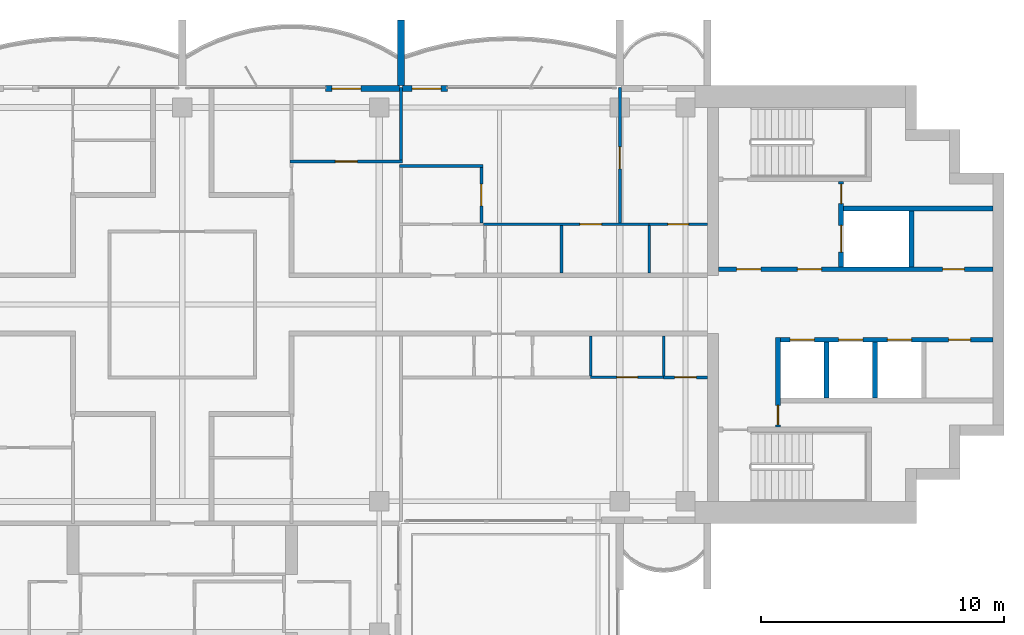
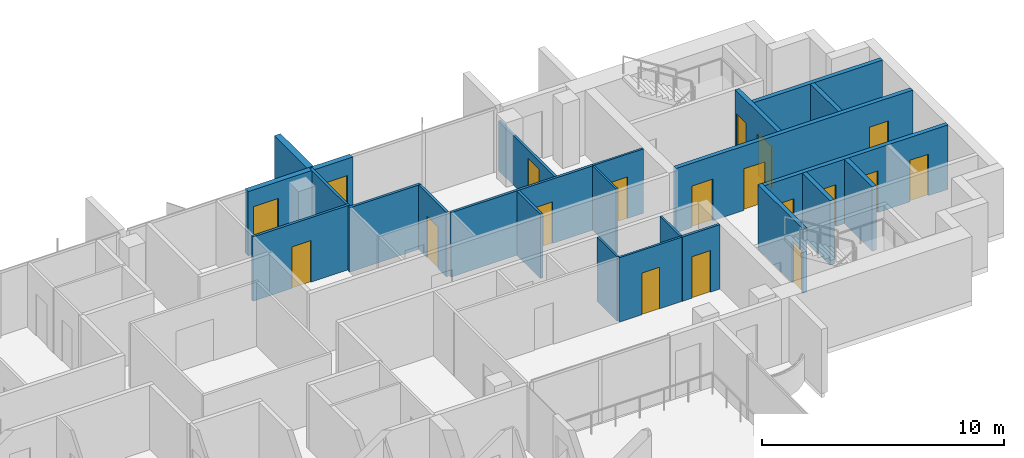
# One storey, part 11 of 16: 24 walls, 19 doors, 19 openings.
"""IFC4 building model written with IfcOpenShell, lengths in metres."""

from ifc_helpers import new_model, si_unit, direction, frame, frame_2d, origin, place, context, subcontext, project, spatial, rectangle, extrude, material, layer, layer_set, type_object, element, fill, save


model = new_model("IFC4")

# Units and contexts
model_context = context("Model", 3, precision=1e-05, world=origin(), true_north=direction((0.0, 1.0)))
body_context = subcontext(model_context, "Body", "Model", "MODEL_VIEW")
ifc_project = project(units=[si_unit("LENGTHUNIT", "METRE"), si_unit("AREAUNIT", "SQUARE_METRE"), si_unit("VOLUMEUNIT", "CUBIC_METRE"), si_unit("PLANEANGLEUNIT", "RADIAN"), si_unit("MASSUNIT", "GRAM", prefix="KILO")], contexts=[model_context])

# Site, building, storey
site_placement = place(None, origin())
site = spatial("IfcSite", under=ifc_project, at=site_placement, CompositionType="ELEMENT")
building_placement = place(site_placement, origin())
building = spatial("IfcBuilding", under=site, at=building_placement, Name="Perihelion Cross Residences", CompositionType="ELEMENT")
storey_placement = place(building_placement, frame((0.0, 0.0, 274.5)))
storey = spatial("IfcBuildingStorey", under=building, at=storey_placement, Name="L70", CompositionType="ELEMENT", Elevation=274.5)

# Wall, opening, door
ifc_material_1 = material(Name="Concrete C30/37, bronze-clad", Category="concrete")
ifc_layer_1 = layer(ifc_material_1, 0.25)
ifc_layer_set_1 = layer_set([ifc_layer_1], Name="Bronze-clad pier wall 250")
wall_type_1 = type_object("IfcWallType", Name="Bronze-clad pier wall 250", PredefinedType="SOLIDWALL", material=ifc_layer_set_1)
wall_1_placement = place(storey_placement, frame((10.89990234375, 8.875, 0.0), z_axis=(0.0, 0.0, 1.0), x_axis=(-1.0, 0.0, 0.0)))
wall_1 = element("IfcWall", 1, at=wall_1_placement, inside=storey, type_object=wall_type_1, Name="Wall FW1 L70 east side north bay 2 pier", PredefinedType="SOLIDWALL", context=body_context, shape_type="SweptSolid", body=[
    extrude(rectangle(XDim=1.83984375, YDim=0.25, at=frame_2d((0.919921875, 0.0))), origin(), (0.0, 0.0, 1.0), 3.25),
])
opening_1_placement = place(wall_1_placement, frame((0.25, 0.0, 0.0)))
opening_1 = element("IfcOpeningElement", 2, at=opening_1_placement, cuts=wall_1, Name="Opening L70.E02", PredefinedType="OPENING", context=body_context, shape_type="SweptSolid", body=[
    extrude(rectangle(XDim=1.199951171875, YDim=2.39990234375, at=frame_2d((0.60009765625, 1.199951171875))), frame((0.0, 0.135009765625, 0.0), z_axis=(0.0, -1.0, 0.0), x_axis=(1.0, 0.0, 0.0)), (0.0, 0.0, 1.0), 0.27001953125),
])
ifc_material_2 = material(Name="Bronze anodised aluminium, glazed", Category="aluminium")
door_type_1 = type_object("IfcDoorType", Name="Balcony door 1200 x 2400", OperationType="NOTDEFINED", PredefinedType="DOOR", material=ifc_material_2)
door_1_placement = place(opening_1_placement, origin())
door_1 = element("IfcDoor", 3, at=door_1_placement, inside=storey, type_object=door_type_1, Name="Door L70.E02 east side north bay 2", OperationType="SINGLE_SWING_RIGHT", OverallHeight=2.39990234375, OverallWidth=1.199951171875, PredefinedType="DOOR", context=body_context, shape_type="SweptSolid", body=[
    extrude(rectangle(XDim=1.199951171875, YDim=2.39990234375, at=frame_2d((0.60009765625, 1.199951171875))), frame((0.0, 0.02490234375, 0.0), z_axis=(0.0, -1.0, 0.0), x_axis=(1.0, 0.0, 0.0)), (0.0, 0.0, 1.0), 0.050048828125),
])
fill(opening_1, door_1)

wall_2_placement = place(storey_placement, frame((8.93994140625, 8.875, 0.0), z_axis=(0.0, 0.0, 1.0), x_axis=(-1.0, 0.0, 0.0)))
wall_2 = element("IfcWall", 4, at=wall_2_placement, inside=storey, type_object=wall_type_1, Name="Wall FW1 L70 north side east bay 1 pier", PredefinedType="SOLIDWALL", context=body_context, shape_type="SweptSolid", body=[
    extrude(rectangle(XDim=3.0400390625, YDim=0.25, at=frame_2d((1.52001953125, 0.0))), origin(), (0.0, 0.0, 1.0), 3.25),
])
opening_2_placement = place(wall_2_placement, frame((1.590087890625, 0.0, 0.0)))
opening_2 = element("IfcOpeningElement", 5, at=opening_2_placement, cuts=wall_2, Name="Opening L70.E03", PredefinedType="OPENING", context=body_context, shape_type="SweptSolid", body=[
    extrude(rectangle(XDim=1.199951171875, YDim=2.39990234375, at=frame_2d((0.60009765625, 1.199951171875))), frame((0.0, 0.135009765625, 0.0), z_axis=(0.0, -1.0, 0.0), x_axis=(1.0, 0.0, 0.0)), (0.0, 0.0, 1.0), 0.27001953125),
])
door_2_placement = place(opening_2_placement, origin())
door_2 = element("IfcDoor", 6, at=door_2_placement, inside=storey, type_object=door_type_1, Name="Door L70.E03 north side east bay 1", OperationType="SINGLE_SWING_LEFT", OverallHeight=2.39990234375, OverallWidth=1.199951171875, PredefinedType="DOOR", context=body_context, shape_type="SweptSolid", body=[
    extrude(rectangle(XDim=1.199951171875, YDim=2.39990234375, at=frame_2d((0.60009765625, 1.199951171875))), frame((0.0, 0.02490234375, 0.0), z_axis=(0.0, -1.0, 0.0), x_axis=(1.0, 0.0, 0.0)), (0.0, 0.0, 1.0), 0.050048828125),
])
fill(opening_2, door_2)

ifc_material_3 = material(Name="Concrete C50/60", Category="concrete")
ifc_layer_2 = layer(ifc_material_3, 0.199951171875)
ifc_layer_set_2 = layer_set([ifc_layer_2], Name="Lobby wall 200")
wall_type_2 = type_object("IfcWallType", Name="Lobby wall 200", PredefinedType="SOLIDWALL", material=ifc_layer_set_2)
wall_3_placement = place(storey_placement, frame((24.5, -5.050048828125, 0.0), z_axis=(0.0, 0.0, 1.0), x_axis=(0.0, 1.0, 0.0)))
wall_3 = element("IfcWall", 7, at=wall_3_placement, inside=storey, type_object=wall_type_2, Name="East core lobby wall", PredefinedType="SOLIDWALL", context=body_context, shape_type="SweptSolid", body=[
    extrude(rectangle(XDim=3.699951171875, YDim=0.199951171875, at=frame_2d((1.85009765625, 0.0))), origin(), (0.0, 0.0, 1.0), 3.25),
])
opening_3_placement = place(wall_3_placement, frame((0.10009765625, 0.0, 0.0)))
opening_3 = element("IfcOpeningElement", 8, at=opening_3_placement, cuts=wall_3, Name="Opening L70.C08", PredefinedType="OPENING", context=body_context, shape_type="SweptSolid", body=[
    extrude(rectangle(XDim=0.800048828125, YDim=2.10009765625, at=frame_2d((0.39990234375, 1.050048828125))), frame((0.0, 0.10986328125, 0.0), z_axis=(0.0, -1.0, 0.0), x_axis=(1.0, 0.0, 0.0)), (0.0, 0.0, 1.0), 0.219970703125),
])
ifc_material_4 = material(Name="Steel, powder coated", Category="steel")
door_type_2 = type_object("IfcDoorType", Name="Riser door 800", OperationType="SINGLE_SWING_LEFT", PredefinedType="DOOR", material=ifc_material_4)
door_3_placement = place(opening_3_placement, origin())
door_3 = element("IfcDoor", 9, at=door_3_placement, inside=storey, type_object=door_type_2, Name="East core riser door", OperationType="SINGLE_SWING_LEFT", OverallHeight=2.10009765625, OverallWidth=0.800048828125, PredefinedType="DOOR", context=body_context, shape_type="SweptSolid", body=[
    extrude(rectangle(XDim=0.800048828125, YDim=2.10009765625, at=frame_2d((0.39990234375, 1.050048828125))), frame((0.0, 0.02490234375, 0.0), z_axis=(0.0, -1.0, 0.0), x_axis=(1.0, 0.0, 0.0)), (0.0, 0.0, 1.0), 0.050048828125),
])
fill(opening_3, door_3)

# Wall
ifc_material_5 = material(Name="Plasterboard partition")
ifc_layer_3 = layer(ifc_material_5, 0.1201171875)
ifc_layer_set_3 = layer_set([ifc_layer_3], Name="Partition wall 120")
wall_type_3 = type_object("IfcWallType", Name="Partition wall 120", PredefinedType="PARTITIONING", material=ifc_layer_set_3)
wall_4_placement = place(storey_placement, frame((15.60009765625, 3.239990234375, 0.0), z_axis=(0.0, 0.0, 1.0), x_axis=(0.0, -1.0, 0.0)))
element("IfcWall", 10, at=wall_4_placement, inside=storey, type_object=wall_type_3, Name="Partition L70 W025", PredefinedType="PARTITIONING", context=body_context, shape_type="SweptSolid", body=[
    extrude(rectangle(XDim=1.93994140625, YDim=0.1201171875, at=frame_2d((0.969970703125, 0.0))), origin(), (0.0, 0.0, 1.0), 3.25),
])

# Wall, opening, door
wall_5_placement = place(storey_placement, frame((12.389892578125, 3.300048828125, 0.0), z_axis=(0.0, 0.0, 1.0), x_axis=(1.0, 0.0, 0.0)))
wall_5 = element("IfcWall", 11, at=wall_5_placement, inside=storey, type_object=wall_type_3, Name="Partition L70 W026", PredefinedType="PARTITIONING", context=body_context, shape_type="SweptSolid", body=[
    extrude(rectangle(XDim=6.81005859375, YDim=0.1201171875, at=frame_2d((3.405029296875, 0.0))), origin(), (0.0, 0.0, 1.0), 3.25),
])
opening_4_placement = place(wall_5_placement, frame((3.9599609375, 0.0, 0.0)))
opening_4 = element("IfcOpeningElement", 12, at=opening_4_placement, cuts=wall_5, Name="Opening L70.A05", PredefinedType="OPENING", context=body_context, shape_type="SweptSolid", body=[
    extrude(rectangle(XDim=0.89990234375, YDim=2.10009765625, at=frame_2d((0.449951171875, 1.050048828125))), frame((0.0, 0.070068359375, 0.0), z_axis=(0.0, -1.0, 0.0), x_axis=(1.0, 0.0, 0.0)), (0.0, 0.0, 1.0), 0.14013671875),
])
ifc_material_6 = material(Name="Timber door leaf", Category="wood")
door_type_3 = type_object("IfcDoorType", Name="Interior room door 900 x 2100", OperationType="SINGLE_SWING_LEFT", PredefinedType="DOOR", material=ifc_material_6)
door_4_placement = place(opening_4_placement, origin())
door_4 = element("IfcDoor", 13, at=door_4_placement, inside=storey, type_object=door_type_3, Name="Door L70.A05", OperationType="SINGLE_SWING_RIGHT", OverallHeight=2.10009765625, OverallWidth=0.89990234375, PredefinedType="DOOR", context=body_context, shape_type="SweptSolid", body=[
    extrude(rectangle(XDim=0.89990234375, YDim=2.10009765625, at=frame_2d((0.449951171875, 1.050048828125))), frame((0.0, 0.02490234375, 0.0), z_axis=(0.0, -1.0, 0.0), x_axis=(1.0, 0.0, 0.0)), (0.0, 0.0, 1.0), 0.050048828125),
])
fill(opening_4, door_4)

wall_6_placement = place(storey_placement, frame((12.300048828125, 3.360107421875, 0.0), z_axis=(0.0, 0.0, 1.0), x_axis=(0.0, 1.0, 0.0)))
wall_6 = element("IfcWall", 14, at=wall_6_placement, inside=storey, type_object=wall_type_3, Name="Partition L70 W029", PredefinedType="PARTITIONING", context=body_context, shape_type="SweptSolid", body=[
    extrude(rectangle(XDim=2.27978515625, YDim=0.1201171875, at=frame_2d((1.139892578125, 0.0))), origin(), (0.0, 0.0, 1.0), 3.25),
])
opening_5_placement = place(wall_6_placement, frame((0.68994140625, 0.0, 0.0)))
opening_5 = element("IfcOpeningElement", 15, at=opening_5_placement, cuts=wall_6, Name="Opening L70.A07", PredefinedType="OPENING", context=body_context, shape_type="SweptSolid", body=[
    extrude(rectangle(XDim=0.89990234375, YDim=2.10009765625, at=frame_2d((0.449951171875, 1.050048828125))), frame((0.0, 0.070068359375, 0.0), z_axis=(0.0, -1.0, 0.0), x_axis=(1.0, 0.0, 0.0)), (0.0, 0.0, 1.0), 0.14013671875),
])
door_5_placement = place(opening_5_placement, origin())
door_5 = element("IfcDoor", 16, at=door_5_placement, inside=storey, type_object=door_type_3, Name="Door L70.A07", OperationType="SINGLE_SWING_RIGHT", OverallHeight=2.10009765625, OverallWidth=0.89990234375, PredefinedType="DOOR", context=body_context, shape_type="SweptSolid", body=[
    extrude(rectangle(XDim=0.89990234375, YDim=2.10009765625, at=frame_2d((0.449951171875, 1.050048828125))), frame((0.0, 0.02490234375, 0.0), z_axis=(0.0, -1.0, 0.0), x_axis=(1.0, 0.0, 0.0)), (0.0, 0.0, 1.0), 0.050048828125),
])
fill(opening_5, door_5)

# Wall
wall_7_placement = place(storey_placement, frame((12.360107421875, 5.699951171875, 0.0), z_axis=(0.0, 0.0, 1.0), x_axis=(-1.0, 0.0, 0.0)))
element("IfcWall", 17, at=wall_7_placement, inside=storey, type_object=wall_type_3, Name="Partition L70 W030", PredefinedType="PARTITIONING", context=body_context, shape_type="SweptSolid", body=[
    extrude(rectangle(XDim=3.420166015625, YDim=0.1201171875, at=frame_2d((1.7099609375, 0.0))), origin(), (0.0, 0.0, 1.0), 3.25),
])

# Wall, opening, door
wall_8_placement = place(storey_placement, frame((18.0, 8.919921875, 0.0), z_axis=(0.0, 0.0, 1.0), x_axis=(0.0, -1.0, 0.0)))
wall_8 = element("IfcWall", 18, at=wall_8_placement, inside=storey, type_object=wall_type_3, Name="Partition L70 W031", PredefinedType="PARTITIONING", context=body_context, shape_type="SweptSolid", body=[
    extrude(rectangle(XDim=5.559814453125, YDim=0.1201171875, at=frame_2d((2.77978515625, 0.0))), origin(), (0.0, 0.0, 1.0), 2.49609375),
])
opening_6_placement = place(wall_8_placement, frame((2.43994140625, 0.0, 0.0)))
opening_6 = element("IfcOpeningElement", 19, at=opening_6_placement, cuts=wall_8, Name="Opening L70.A08", PredefinedType="OPENING", context=body_context, shape_type="SweptSolid", body=[
    extrude(rectangle(XDim=0.89990234375, YDim=2.10009765625, at=frame_2d((0.449951171875, 1.050048828125))), frame((0.0, 0.070068359375, 0.0), z_axis=(0.0, -1.0, 0.0), x_axis=(1.0, 0.0, 0.0)), (0.0, 0.0, 1.0), 0.14013671875),
])
door_6_placement = place(opening_6_placement, origin())
door_6 = element("IfcDoor", 20, at=door_6_placement, inside=storey, type_object=door_type_3, Name="Door L70.A08", OperationType="SINGLE_SWING_LEFT", OverallHeight=2.10009765625, OverallWidth=0.89990234375, PredefinedType="DOOR", context=body_context, shape_type="SweptSolid", body=[
    extrude(rectangle(XDim=0.89990234375, YDim=2.10009765625, at=frame_2d((0.449951171875, 1.050048828125))), frame((0.0, 0.02490234375, 0.0), z_axis=(0.0, -1.0, 0.0), x_axis=(1.0, 0.0, 0.0)), (0.0, 0.0, 1.0), 0.050048828125),
])
fill(opening_6, door_6)

# Wall
wall_9_placement = place(storey_placement, frame((9.0, 5.93994140625, 0.0), z_axis=(0.0, 0.0, 1.0), x_axis=(0.0, 1.0, 0.0)))
element("IfcWall", 21, at=wall_9_placement, inside=storey, type_object=wall_type_3, Name="Partition L70 W032", PredefinedType="PARTITIONING", context=body_context, shape_type="SweptSolid", body=[
    extrude(rectangle(XDim=2.97998046875, YDim=0.1201171875, at=frame_2d((1.489990234375, 0.0))), origin(), (0.0, 0.0, 1.0), 3.25),
])

# Wall, opening, door
wall_10_placement = place(storey_placement, frame((4.43994140625, 5.8798828125, 0.0), z_axis=(0.0, 0.0, 1.0), x_axis=(1.0, 0.0, 0.0)))
wall_10 = element("IfcWall", 22, at=wall_10_placement, inside=storey, type_object=wall_type_3, Name="Partition L70 W033", PredefinedType="PARTITIONING", context=body_context, shape_type="SweptSolid", body=[
    extrude(rectangle(XDim=4.6201171875, YDim=0.1201171875, at=frame_2d((2.31005859375, 0.0))), origin(), (0.0, 0.0, 1.0), 3.25),
])
opening_7_placement = place(wall_10_placement, frame((1.860107421875, 0.0, 0.0)))
opening_7 = element("IfcOpeningElement", 23, at=opening_7_placement, cuts=wall_10, Name="Opening L70.A06", PredefinedType="OPENING", context=body_context, shape_type="SweptSolid", body=[
    extrude(rectangle(XDim=0.89990234375, YDim=2.10009765625, at=frame_2d((0.449951171875, 1.050048828125))), frame((0.0, 0.070068359375, 0.0), z_axis=(0.0, -1.0, 0.0), x_axis=(1.0, 0.0, 0.0)), (0.0, 0.0, 1.0), 0.14013671875),
])
door_7_placement = place(opening_7_placement, origin())
door_7 = element("IfcDoor", 24, at=door_7_placement, inside=storey, type_object=door_type_3, Name="Door L70.A06", OperationType="SINGLE_SWING_RIGHT", OverallHeight=2.10009765625, OverallWidth=0.89990234375, PredefinedType="DOOR", context=body_context, shape_type="SweptSolid", body=[
    extrude(rectangle(XDim=0.89990234375, YDim=2.10009765625, at=frame_2d((0.449951171875, 1.050048828125))), frame((0.0, 0.02490234375, 0.0), z_axis=(0.0, -1.0, 0.0), x_axis=(1.0, 0.0, 0.0)), (0.0, 0.0, 1.0), 0.050048828125),
])
fill(opening_7, door_7)

wall_11_placement = place(storey_placement, frame((21.60009765625, -3.0, 0.0), z_axis=(0.0, 0.0, 1.0), x_axis=(-1.0, 0.0, 0.0)))
wall_11 = element("IfcWall", 25, at=wall_11_placement, inside=storey, type_object=wall_type_3, Name="Partition L70 W042", PredefinedType="PARTITIONING", context=body_context, shape_type="SweptSolid", body=[
    extrude(rectangle(XDim=1.800048828125, YDim=0.1201171875, at=frame_2d((0.89990234375, 0.0))), origin(), (0.0, 0.0, 1.0), 3.25),
])
opening_8_placement = place(wall_11_placement, frame((0.449951171875, 0.0, 0.0)))
opening_8 = element("IfcOpeningElement", 26, at=opening_8_placement, cuts=wall_11, Name="Opening L70.A13", PredefinedType="OPENING", context=body_context, shape_type="SweptSolid", body=[
    extrude(rectangle(XDim=0.89990234375, YDim=2.10009765625, at=frame_2d((0.449951171875, 1.050048828125))), frame((0.0, 0.070068359375, 0.0), z_axis=(0.0, -1.0, 0.0), x_axis=(1.0, 0.0, 0.0)), (0.0, 0.0, 1.0), 0.14013671875),
])
door_8_placement = place(opening_8_placement, origin())
door_8 = element("IfcDoor", 27, at=door_8_placement, inside=storey, type_object=door_type_3, Name="Door L70.A13", OperationType="SINGLE_SWING_RIGHT", OverallHeight=2.10009765625, OverallWidth=0.89990234375, PredefinedType="DOOR", context=body_context, shape_type="SweptSolid", body=[
    extrude(rectangle(XDim=0.89990234375, YDim=2.10009765625, at=frame_2d((0.449951171875, 1.050048828125))), frame((0.0, 0.02490234375, 0.0), z_axis=(0.0, -1.0, 0.0), x_axis=(1.0, 0.0, 0.0)), (0.0, 0.0, 1.0), 0.050048828125),
])
fill(opening_8, door_8)

# Wall
ifc_material_7 = material(Name="Precast concrete C50/60", Category="concrete")
ifc_layer_4 = layer(ifc_material_7, 0.300048828125)
ifc_layer_set_4 = layer_set([ifc_layer_4], Name="Precast concrete C50/60 blade wall 300")
wall_type_4 = type_object("IfcWallType", Name="Precast concrete C50/60 blade wall 300", PredefinedType="SOLIDWALL", material=ifc_layer_set_4)
wall_12_placement = place(storey_placement, frame((9.0, 9.0, 0.0), z_axis=(0.0, 0.0, 1.0), x_axis=(0.0, 1.0, 0.0)))
element("IfcWall", 28, at=wall_12_placement, inside=storey, type_object=wall_type_4, Name="Wall BL1 L70 no. 16", PredefinedType="SOLIDWALL", context=body_context, shape_type="SweptSolid", body=[
    extrude(rectangle(XDim=2.699951171875, YDim=0.300048828125, at=frame_2d((1.35009765625, 0.0))), origin(), (0.0, 0.0, 1.0), 3.25),
])

# Wall, openings, doors
ifc_material_8 = material(Name="Concrete C50/60", Category="concrete")
ifc_layer_5 = layer(ifc_material_8, 0.199951171875)
ifc_layer_set_5 = layer_set([ifc_layer_5], Name="Shaft wall 200")
wall_type_5 = type_object("IfcWallType", Name="Shaft wall 200", PredefinedType="SOLIDWALL", material=ifc_layer_set_5)
wall_13_placement = place(storey_placement, frame((22.050048828125, 1.449951171875, 0.0), z_axis=(0.0, 0.0, 1.0), x_axis=(1.0, 0.0, 0.0)))
wall_13 = element("IfcWall", 29, at=wall_13_placement, inside=storey, type_object=wall_type_5, Name="East core shaft wall", PredefinedType="SOLIDWALL", context=body_context, shape_type="SweptSolid", body=[
    extrude(rectangle(XDim=11.300048828125, YDim=0.199951171875, at=frame_2d((5.64990234375, 0.0))), origin(), (0.0, 0.0, 1.0), 3.25),
])
opening_9_placement = place(wall_13_placement, frame((0.75, 0.0, 0.0)))
opening_9 = element("IfcOpeningElement", 30, at=opening_9_placement, cuts=wall_13, Name="Opening L70.C07", PredefinedType="OPENING", context=body_context, shape_type="SweptSolid", body=[
    extrude(rectangle(XDim=1.0, YDim=2.10009765625, at=frame_2d((0.5, 1.050048828125))), frame((0.0, 0.10986328125, 0.0), z_axis=(0.0, -1.0, 0.0), x_axis=(1.0, 0.0, 0.0)), (0.0, 0.0, 1.0), 0.219970703125),
])
opening_10_placement = place(wall_13_placement, frame((3.25, 0.0, 0.0)))
opening_10 = element("IfcOpeningElement", 31, at=opening_10_placement, cuts=wall_13, Name="Opening L70.C09", PredefinedType="OPENING", context=body_context, shape_type="SweptSolid", body=[
    extrude(rectangle(XDim=1.0, YDim=2.10009765625, at=frame_2d((0.5, 1.050048828125))), frame((0.0, 0.10986328125, 0.0), z_axis=(0.0, -1.0, 0.0), x_axis=(1.0, 0.0, 0.0)), (0.0, 0.0, 1.0), 0.219970703125),
])
opening_11_placement = place(wall_13_placement, frame((9.22509765625, 0.0, 0.0)))
opening_11 = element("IfcOpeningElement", 32, at=opening_11_placement, cuts=wall_13, Name="Opening L70.C11", PredefinedType="OPENING", context=body_context, shape_type="SweptSolid", body=[
    extrude(rectangle(XDim=0.89990234375, YDim=2.10009765625, at=frame_2d((0.449951171875, 1.050048828125))), frame((0.0, 0.10986328125, 0.0), z_axis=(0.0, -1.0, 0.0), x_axis=(1.0, 0.0, 0.0)), (0.0, 0.0, 1.0), 0.219970703125),
])
ifc_material_9 = material(Name="Steel, powder coated", Category="steel")
door_type_4 = type_object("IfcDoorType", Name="Lobby door 1000", OperationType="SINGLE_SWING_LEFT", PredefinedType="DOOR", material=ifc_material_9)
door_9_placement = place(opening_9_placement, origin())
door_9 = element("IfcDoor", 33, at=door_9_placement, inside=storey, type_object=door_type_4, Name="East core firefighting lobby door", OperationType="SINGLE_SWING_LEFT", OverallHeight=2.10009765625, OverallWidth=1.0, PredefinedType="DOOR", context=body_context, shape_type="SweptSolid", body=[
    extrude(rectangle(XDim=1.0, YDim=2.10009765625, at=frame_2d((0.5, 1.050048828125))), frame((0.0, 0.02490234375, 0.0), z_axis=(0.0, -1.0, 0.0), x_axis=(1.0, 0.0, 0.0)), (0.0, 0.0, 1.0), 0.050048828125),
])
fill(opening_9, door_9)
door_10_placement = place(opening_10_placement, origin())
door_10 = element("IfcDoor", 34, at=door_10_placement, inside=storey, type_object=door_type_4, Name="East core firefighting lobby door", OperationType="SINGLE_SWING_LEFT", OverallHeight=2.10009765625, OverallWidth=1.0, PredefinedType="DOOR", context=body_context, shape_type="SweptSolid", body=[
    extrude(rectangle(XDim=1.0, YDim=2.10009765625, at=frame_2d((0.5, 1.050048828125))), frame((0.0, 0.02490234375, 0.0), z_axis=(0.0, -1.0, 0.0), x_axis=(1.0, 0.0, 0.0)), (0.0, 0.0, 1.0), 0.050048828125),
])
fill(opening_10, door_10)
ifc_material_10 = material(Name="Steel, powder coated", Category="steel")
door_type_5 = type_object("IfcDoorType", Name="Service room door 900", OperationType="SINGLE_SWING_LEFT", PredefinedType="DOOR", material=ifc_material_10)
door_11_placement = place(opening_11_placement, origin())
door_11 = element("IfcDoor", 35, at=door_11_placement, inside=storey, type_object=door_type_5, Name="East core service room door", OperationType="SINGLE_SWING_LEFT", OverallHeight=2.10009765625, OverallWidth=0.89990234375, PredefinedType="DOOR", context=body_context, shape_type="SweptSolid", body=[
    extrude(rectangle(XDim=0.89990234375, YDim=2.10009765625, at=frame_2d((0.449951171875, 1.050048828125))), frame((0.0, 0.02490234375, 0.0), z_axis=(0.0, -1.0, 0.0), x_axis=(1.0, 0.0, 0.0)), (0.0, 0.0, 1.0), 0.050048828125),
])
fill(opening_11, door_11)

wall_14_placement = place(storey_placement, frame((24.60009765625, -1.449951171875, 0.0), z_axis=(0.0, 0.0, 1.0), x_axis=(1.0, 0.0, 0.0)))
wall_14 = element("IfcWall", 36, at=wall_14_placement, inside=storey, type_object=wall_type_5, Name="East core shaft wall", PredefinedType="SOLIDWALL", context=body_context, shape_type="SweptSolid", body=[
    extrude(rectangle(XDim=8.75, YDim=0.199951171875, at=frame_2d((4.375, 0.0))), origin(), (0.0, 0.0, 1.0), 3.25),
])
opening_12_placement = place(wall_14_placement, frame((0.39990234375, 0.0, 0.0)))
opening_12 = element("IfcOpeningElement", 37, at=opening_12_placement, cuts=wall_14, Name="Opening L70.C01", PredefinedType="OPENING", context=body_context, shape_type="SweptSolid", body=[
    extrude(rectangle(XDim=1.0, YDim=2.10009765625, at=frame_2d((0.5, 1.050048828125))), frame((0.0, 0.10986328125, 0.0), z_axis=(0.0, -1.0, 0.0), x_axis=(1.0, 0.0, 0.0)), (0.0, 0.0, 1.0), 0.219970703125),
])
opening_13_placement = place(wall_14_placement, frame((2.39990234375, 0.0, 0.0)))
opening_13 = element("IfcOpeningElement", 38, at=opening_13_placement, cuts=wall_14, Name="Opening L70.C03", PredefinedType="OPENING", context=body_context, shape_type="SweptSolid", body=[
    extrude(rectangle(XDim=1.0, YDim=2.10009765625, at=frame_2d((0.5, 1.050048828125))), frame((0.0, 0.10986328125, 0.0), z_axis=(0.0, -1.0, 0.0), x_axis=(1.0, 0.0, 0.0)), (0.0, 0.0, 1.0), 0.219970703125),
])
opening_14_placement = place(wall_14_placement, frame((4.39990234375, 0.0, 0.0)))
opening_14 = element("IfcOpeningElement", 39, at=opening_14_placement, cuts=wall_14, Name="Opening L70.C04", PredefinedType="OPENING", context=body_context, shape_type="SweptSolid", body=[
    extrude(rectangle(XDim=1.0, YDim=2.10009765625, at=frame_2d((0.5, 1.050048828125))), frame((0.0, 0.10986328125, 0.0), z_axis=(0.0, -1.0, 0.0), x_axis=(1.0, 0.0, 0.0)), (0.0, 0.0, 1.0), 0.219970703125),
])
opening_15_placement = place(wall_14_placement, frame((6.925048828125, 0.0, 0.0)))
opening_15 = element("IfcOpeningElement", 40, at=opening_15_placement, cuts=wall_14, Name="Opening L70.C12", PredefinedType="OPENING", context=body_context, shape_type="SweptSolid", body=[
    extrude(rectangle(XDim=0.89990234375, YDim=2.10009765625, at=frame_2d((0.449951171875, 1.050048828125))), frame((0.0, 0.10986328125, 0.0), z_axis=(0.0, -1.0, 0.0), x_axis=(1.0, 0.0, 0.0)), (0.0, 0.0, 1.0), 0.219970703125),
])
ifc_material_11 = material(Name="Stainless steel", Category="steel")
door_type_6 = type_object("IfcDoorType", Name="Landing door 1000", OperationType="DOUBLE_DOOR_SLIDING", PredefinedType="DOOR", material=ifc_material_11)
door_12_placement = place(opening_12_placement, origin())
door_12 = element("IfcDoor", 41, at=door_12_placement, inside=storey, type_object=door_type_6, Name="Landing door, East core high-rise lift 1", OperationType="DOUBLE_DOOR_SLIDING", OverallHeight=2.10009765625, OverallWidth=1.0, PredefinedType="DOOR", context=body_context, shape_type="SweptSolid", body=[
    extrude(rectangle(XDim=1.0, YDim=2.10009765625, at=frame_2d((0.5, 1.050048828125))), frame((0.0, 0.02490234375, 0.0), z_axis=(0.0, -1.0, 0.0), x_axis=(1.0, 0.0, 0.0)), (0.0, 0.0, 1.0), 0.050048828125),
])
fill(opening_12, door_12)
door_13_placement = place(opening_13_placement, origin())
door_13 = element("IfcDoor", 42, at=door_13_placement, inside=storey, type_object=door_type_6, Name="Landing door, East core high-rise lift 2", OperationType="DOUBLE_DOOR_SLIDING", OverallHeight=2.10009765625, OverallWidth=1.0, PredefinedType="DOOR", context=body_context, shape_type="SweptSolid", body=[
    extrude(rectangle(XDim=1.0, YDim=2.10009765625, at=frame_2d((0.5, 1.050048828125))), frame((0.0, 0.02490234375, 0.0), z_axis=(0.0, -1.0, 0.0), x_axis=(1.0, 0.0, 0.0)), (0.0, 0.0, 1.0), 0.050048828125),
])
fill(opening_13, door_13)
door_14_placement = place(opening_14_placement, origin())
door_14 = element("IfcDoor", 43, at=door_14_placement, inside=storey, type_object=door_type_6, Name="Landing door, East core high-rise lift 3", OperationType="DOUBLE_DOOR_SLIDING", OverallHeight=2.10009765625, OverallWidth=1.0, PredefinedType="DOOR", context=body_context, shape_type="SweptSolid", body=[
    extrude(rectangle(XDim=1.0, YDim=2.10009765625, at=frame_2d((0.5, 1.050048828125))), frame((0.0, 0.02490234375, 0.0), z_axis=(0.0, -1.0, 0.0), x_axis=(1.0, 0.0, 0.0)), (0.0, 0.0, 1.0), 0.050048828125),
])
fill(opening_14, door_14)
door_15_placement = place(opening_15_placement, origin())
door_15 = element("IfcDoor", 44, at=door_15_placement, inside=storey, type_object=door_type_5, Name="East core service room door", OperationType="SINGLE_SWING_LEFT", OverallHeight=2.10009765625, OverallWidth=0.89990234375, PredefinedType="DOOR", context=body_context, shape_type="SweptSolid", body=[
    extrude(rectangle(XDim=0.89990234375, YDim=2.10009765625, at=frame_2d((0.449951171875, 1.050048828125))), frame((0.0, 0.02490234375, 0.0), z_axis=(0.0, -1.0, 0.0), x_axis=(1.0, 0.0, 0.0)), (0.0, 0.0, 1.0), 0.050048828125),
])
fill(opening_15, door_15)

# Wall
wall_15_placement = place(storey_placement, frame((27.199951171875, 3.949951171875, 0.0), z_axis=(0.0, 0.0, 1.0), x_axis=(1.0, 0.0, 0.0)))
element("IfcWall", 45, at=wall_15_placement, inside=storey, type_object=wall_type_5, Name="East core shaft wall", PredefinedType="SOLIDWALL", context=body_context, shape_type="SweptSolid", body=[
    extrude(rectangle(XDim=6.150146484375, YDim=0.199951171875, at=frame_2d((3.0751953125, 0.0))), origin(), (0.0, 0.0, 1.0), 3.25),
])

# Wall, openings, doors
wall_16_placement = place(storey_placement, frame((27.10009765625, 1.550048828125, 0.0), z_axis=(0.0, 0.0, 1.0), x_axis=(0.0, 1.0, 0.0)))
wall_16 = element("IfcWall", 46, at=wall_16_placement, inside=storey, type_object=wall_type_5, Name="East core shaft wall", PredefinedType="SOLIDWALL", context=body_context, shape_type="SweptSolid", body=[
    extrude(rectangle(XDim=3.5, YDim=0.199951171875, at=frame_2d((1.75, 0.0))), origin(), (0.0, 0.0, 1.0), 3.25),
])
opening_16_placement = place(wall_16_placement, frame((0.60009765625, 0.0, 0.0)))
opening_16 = element("IfcOpeningElement", 47, at=opening_16_placement, cuts=wall_16, Name="Opening L70.C02", PredefinedType="OPENING", context=body_context, shape_type="SweptSolid", body=[
    extrude(rectangle(XDim=1.10009765625, YDim=2.10009765625, at=frame_2d((0.550048828125, 1.050048828125))), frame((0.0, 0.10986328125, 0.0), z_axis=(0.0, -1.0, 0.0), x_axis=(1.0, 0.0, 0.0)), (0.0, 0.0, 1.0), 0.219970703125),
])
opening_17_placement = place(wall_16_placement, frame((2.60009765625, 0.0, 0.0)))
opening_17 = element("IfcOpeningElement", 48, at=opening_17_placement, cuts=wall_16, Name="Opening L70.C10", PredefinedType="OPENING", context=body_context, shape_type="SweptSolid", body=[
    extrude(rectangle(XDim=0.800048828125, YDim=2.10009765625, at=frame_2d((0.39990234375, 1.050048828125))), frame((0.0, 0.10986328125, 0.0), z_axis=(0.0, -1.0, 0.0), x_axis=(1.0, 0.0, 0.0)), (0.0, 0.0, 1.0), 0.219970703125),
])
ifc_material_12 = material(Name="Stainless steel", Category="steel")
door_type_7 = type_object("IfcDoorType", Name="Landing door, firefighting lift 1100", OperationType="DOUBLE_DOOR_SLIDING", PredefinedType="DOOR", material=ifc_material_12)
door_16_placement = place(opening_16_placement, origin())
door_16 = element("IfcDoor", 49, at=door_16_placement, inside=storey, type_object=door_type_7, Name="Landing door, East core firefighting and service lift", OperationType="DOUBLE_DOOR_SLIDING", OverallHeight=2.10009765625, OverallWidth=1.10009765625, PredefinedType="DOOR", context=body_context, shape_type="SweptSolid", body=[
    extrude(rectangle(XDim=1.10009765625, YDim=2.10009765625, at=frame_2d((0.550048828125, 1.050048828125))), frame((0.0, 0.02490234375, 0.0), z_axis=(0.0, -1.0, 0.0), x_axis=(1.0, 0.0, 0.0)), (0.0, 0.0, 1.0), 0.050048828125),
])
fill(opening_16, door_16)
door_17_placement = place(opening_17_placement, origin())
door_17 = element("IfcDoor", 50, at=door_17_placement, inside=storey, type_object=door_type_2, Name="East core riser door", OperationType="SINGLE_SWING_LEFT", OverallHeight=2.10009765625, OverallWidth=0.800048828125, PredefinedType="DOOR", context=body_context, shape_type="SweptSolid", body=[
    extrude(rectangle(XDim=0.800048828125, YDim=2.10009765625, at=frame_2d((0.39990234375, 1.050048828125))), frame((0.0, 0.02490234375, 0.0), z_axis=(0.0, -1.0, 0.0), x_axis=(1.0, 0.0, 0.0)), (0.0, 0.0, 1.0), 0.050048828125),
])
fill(opening_17, door_17)

# Walls
for number, where, z_axis, x_axis, name in (
    (51, (30.0, 1.550048828125, 0.0), (0.0, 0.0, 1.0), (0.0, 1.0, 0.0), "East core shaft wall"),
    (52, (26.5, -3.85009765625, 0.0), (0.0, 0.0, 1.0), (0.0, 1.0, 0.0), "East core shaft wall"),
    (53, (28.5, -3.85009765625, 0.0), (0.0, 0.0, 1.0), (0.0, 1.0, 0.0), "East core shaft wall"),
):
    element("IfcWall", number, at=place(storey_placement, frame(where, z_axis=z_axis, x_axis=x_axis)), inside=storey, type_object=wall_type_5, Name=name, PredefinedType="SOLIDWALL", context=body_context, shape_type="SweptSolid", body=[
        extrude(rectangle(XDim=2.300048828125, YDim=0.199951171875, at=frame_2d((1.14990234375, 0.0))), origin(), (0.0, 0.0, 1.0), 3.25),
    ])
ifc_material_13 = material(Name="Plasterboard partition")
ifc_layer_6 = layer(ifc_material_13, 0.10009765625)
ifc_layer_set_6 = layer_set([ifc_layer_6], Name="Wet room wall 100")
wall_type_6 = type_object("IfcWallType", Name="Wet room wall 100", PredefinedType="PARTITIONING", material=ifc_layer_set_6)
wall_17_placement = place(storey_placement, frame((19.199951171875, 3.239990234375, 0.0), z_axis=(0.0, 0.0, 1.0), x_axis=(0.0, -1.0, 0.0)))
element("IfcWall", 54, at=wall_17_placement, inside=storey, type_object=wall_type_6, Name="Partition L70 W027", PredefinedType="PARTITIONING", context=body_context, shape_type="SweptSolid", body=[
    extrude(rectangle(XDim=1.93994140625, YDim=0.10009765625, at=frame_2d((0.969970703125, 0.0))), origin(), (0.0, 0.0, 1.0), 3.25),
])

# Wall, opening, door
wall_18_placement = place(storey_placement, frame((19.199951171875, 3.300048828125, 0.0), z_axis=(0.0, 0.0, 1.0), x_axis=(1.0, 0.0, 0.0)))
wall_18 = element("IfcWall", 55, at=wall_18_placement, inside=storey, type_object=wall_type_6, Name="Partition L70 W028", PredefinedType="PARTITIONING", context=body_context, shape_type="SweptSolid", body=[
    extrude(rectangle(XDim=2.400146484375, YDim=0.10009765625, at=frame_2d((1.2001953125, 0.0))), origin(), (0.0, 0.0, 1.0), 3.25),
])
opening_18_placement = place(wall_18_placement, frame((0.77490234375, 0.0, 0.0)))
opening_18 = element("IfcOpeningElement", 56, at=opening_18_placement, cuts=wall_18, Name="Opening L70.A03", PredefinedType="OPENING", context=body_context, shape_type="SweptSolid", body=[
    extrude(rectangle(XDim=0.85009765625, YDim=2.10009765625, at=frame_2d((0.425048828125, 1.050048828125))), frame((0.0, 0.06005859375, 0.0), z_axis=(0.0, -1.0, 0.0), x_axis=(1.0, 0.0, 0.0)), (0.0, 0.0, 1.0), 0.1201171875),
])
ifc_material_14 = material(Name="Timber door leaf", Category="wood")
door_type_8 = type_object("IfcDoorType", Name="Interior bathroom door 850 x 2100", OperationType="SINGLE_SWING_LEFT", PredefinedType="DOOR", material=ifc_material_14)
door_18_placement = place(opening_18_placement, origin())
door_18 = element("IfcDoor", 57, at=door_18_placement, inside=storey, type_object=door_type_8, Name="Door L70.A03", OperationType="SINGLE_SWING_RIGHT", OverallHeight=2.10009765625, OverallWidth=0.85009765625, PredefinedType="DOOR", context=body_context, shape_type="SweptSolid", body=[
    extrude(rectangle(XDim=0.85009765625, YDim=2.10009765625, at=frame_2d((0.425048828125, 1.050048828125))), frame((0.0, 0.02490234375, 0.0), z_axis=(0.0, -1.0, 0.0), x_axis=(1.0, 0.0, 0.0)), (0.0, 0.0, 1.0), 0.050048828125),
])
fill(opening_18, door_18)

# Walls
for number, where, z_axis, x_axis, name in (
    (58, (16.800048828125, -1.300048828125, 0.0), (0.0, 0.0, 1.0), (0.0, -1.0, 0.0), "Partition L70 W039"),
    (59, (19.800048828125, -1.300048828125, 0.0), (0.0, 0.0, 1.0), (0.0, -1.0, 0.0), "Partition L70 W040"),
):
    element("IfcWall", number, at=place(storey_placement, frame(where, z_axis=z_axis, x_axis=x_axis)), inside=storey, type_object=wall_type_6, Name=name, PredefinedType="PARTITIONING", context=body_context, shape_type="SweptSolid", body=[
        extrude(rectangle(XDim=1.639892578125, YDim=0.10009765625, at=frame_2d((0.81982421875, 0.0))), origin(), (0.0, 0.0, 1.0), 3.25),
    ])

# Wall, opening, door
wall_19_placement = place(storey_placement, frame((19.800048828125, -3.0, 0.0), z_axis=(0.0, 0.0, 1.0), x_axis=(-1.0, 0.0, 0.0)))
wall_19 = element("IfcWall", 60, at=wall_19_placement, inside=storey, type_object=wall_type_6, Name="Partition L70 W041", PredefinedType="PARTITIONING", context=body_context, shape_type="SweptSolid", body=[
    extrude(rectangle(XDim=3.0, YDim=0.10009765625, at=frame_2d((1.5, 0.0))), origin(), (0.0, 0.0, 1.0), 3.25),
])
opening_19_placement = place(wall_19_placement, frame((1.074951171875, 0.0, 0.0)))
opening_19 = element("IfcOpeningElement", 61, at=opening_19_placement, cuts=wall_19, Name="Opening L70.A11", PredefinedType="OPENING", context=body_context, shape_type="SweptSolid", body=[
    extrude(rectangle(XDim=0.85009765625, YDim=2.10009765625, at=frame_2d((0.425048828125, 1.050048828125))), frame((0.0, 0.06005859375, 0.0), z_axis=(0.0, -1.0, 0.0), x_axis=(1.0, 0.0, 0.0)), (0.0, 0.0, 1.0), 0.1201171875),
])
door_19_placement = place(opening_19_placement, origin())
door_19 = element("IfcDoor", 62, at=door_19_placement, inside=storey, type_object=door_type_8, Name="Door L70.A11", OperationType="SINGLE_SWING_RIGHT", OverallHeight=2.10009765625, OverallWidth=0.85009765625, PredefinedType="DOOR", context=body_context, shape_type="SweptSolid", body=[
    extrude(rectangle(XDim=0.85009765625, YDim=2.10009765625, at=frame_2d((0.425048828125, 1.050048828125))), frame((0.0, 0.02490234375, 0.0), z_axis=(0.0, -1.0, 0.0), x_axis=(1.0, 0.0, 0.0)), (0.0, 0.0, 1.0), 0.050048828125),
])
fill(opening_19, door_19)

save(model, "model.ifc")
